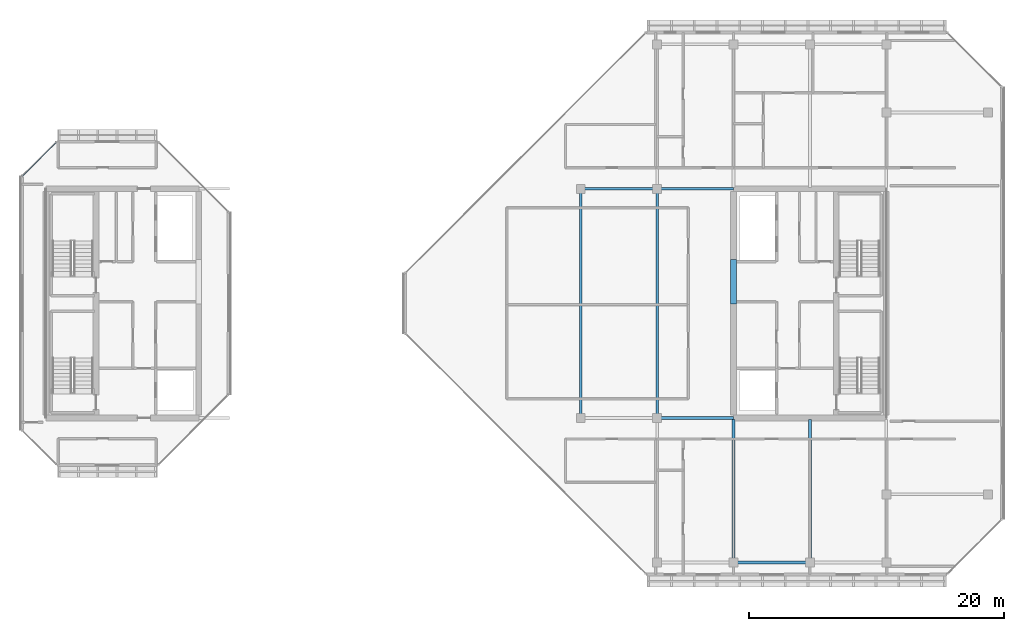
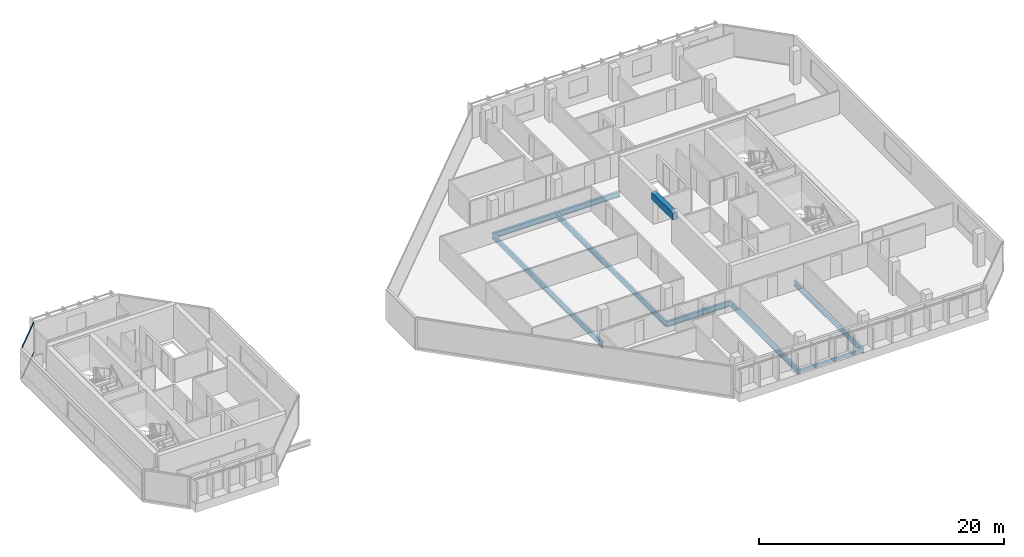
# One storey, part 11 of 28: 9 beams, 2 members, 1 element without a shape of its own.
"""IFC4 building model written with IfcOpenShell, lengths in metres."""

from ifc_helpers import new_model, si_unit, direction, frame, origin, origin_2d, place, context, subcontext, project, spatial, rectangle, hollow_rectangle, i_section, extrude, material, layer, layer_set, material_profile, profile_set, type_object, element, aggregate, save


model = new_model("IFC4")

# Units and contexts
model_context = context("Model", 3, precision=1e-05, world=origin(), true_north=direction((0.0, 1.0)))
body_context = subcontext(model_context, "Body", "Model", "MODEL_VIEW")
ifc_project = project(units=[si_unit("LENGTHUNIT", "METRE"), si_unit("AREAUNIT", "SQUARE_METRE"), si_unit("VOLUMEUNIT", "CUBIC_METRE"), si_unit("PLANEANGLEUNIT", "RADIAN"), si_unit("MASSUNIT", "GRAM", prefix="KILO")], contexts=[model_context])

# Site, building, storey
site_placement = place(None, origin())
site = spatial("IfcSite", under=ifc_project, at=site_placement, CompositionType="ELEMENT")
building_placement = place(site_placement, origin())
building = spatial("IfcBuilding", under=site, at=building_placement, Name="Tanjung Sevakor Pilgrim Tower", CompositionType="ELEMENT")
storey_placement = place(building_placement, frame((0.0, 0.0, 239.25)))
storey = spatial("IfcBuildingStorey", under=building, at=storey_placement, Name="L67", CompositionType="ELEMENT", Elevation=239.25)

# Beams
ifc_material_1 = material(Name="Steel S355J2", Category="steel")
ifc_material_profile_1 = material_profile(ifc_material_1, i_section(OverallWidth=0.2119140625, OverallDepth=0.54443359375, WebThickness=0.0126953125, FlangeThickness=0.021240234375, FilletRadius=0.0126953125, at=origin_2d()))
ifc_profile_set_1 = profile_set([ifc_material_profile_1], Name="Steel S355J2")
beam_type_1 = type_object("IfcBeamType", Name="BM-B-G5-UB_533x210x122", PredefinedType="BEAM", material=ifc_profile_set_1)
for number, where, z_axis, x_axis, name in (
    (1, (72.0, 24.60009765625, -0.4921875), (1.0, 0.0, 0.0), (0.0, 1.0, 0.0), "L67 Primary Floor Girder EAST Y246-02"),
    (2, (66.0, 42.60009765625, -0.4921875), (1.0, 0.0, 0.0), (0.0, 1.0, 0.0), "L67 Primary Floor Girder EAST Y426-01"),
    (3, (72.0, 42.60009765625, -0.4921875), (1.0, 0.0, 0.0), (0.0, 1.0, 0.0), "L67 Primary Floor Girder EAST Y426-02"),
):
    element("IfcBeam", number, at=place(storey_placement, frame(where, z_axis=z_axis, x_axis=x_axis)), inside=storey, type_object=beam_type_1, Name=name, PredefinedType="BEAM", context=body_context, shape_type="SweptSolid", body=[
        extrude(i_section(OverallWidth=0.2119140625, OverallDepth=0.54443359375, WebThickness=0.0126953125, FlangeThickness=0.021240234375, FilletRadius=0.0126953125, at=origin_2d()), origin(), (0.0, 0.0, 1.0), 6.0),
    ])
ifc_material_2 = material(Name="Steel S355J2", Category="steel")
ifc_material_profile_2 = material_profile(ifc_material_2, i_section(OverallWidth=0.210693359375, OverallDepth=0.53955078125, WebThickness=0.01171875, FlangeThickness=0.018798828125, FilletRadius=0.0126953125, at=origin_2d()))
ifc_profile_set_2 = profile_set([ifc_material_profile_2], Name="Steel S355J2")
beam_type_2 = type_object("IfcBeamType", Name="BM-B-G6-UB_533x210x109", PredefinedType="BEAM", material=ifc_profile_set_2)
for number, where, z_axis, x_axis, name in (
    (4, (66.0, 24.60009765625, -0.48974609375), (0.0, 1.0, 0.0), (-1.0, 0.0, 0.0), "L67 EAST Girder 001"),
    (5, (72.0, 24.60009765625, -0.48974609375), (0.0, 1.0, 0.0), (-1.0, 0.0, 0.0), "L67 EAST Girder 003"),
):
    element("IfcBeam", number, at=place(storey_placement, frame(where, z_axis=z_axis, x_axis=x_axis)), inside=storey, type_object=beam_type_2, Name=name, PredefinedType="BEAM", context=body_context, shape_type="SweptSolid", body=[
        extrude(i_section(OverallWidth=0.210693359375, OverallDepth=0.53955078125, WebThickness=0.01171875, FlangeThickness=0.018798828125, FilletRadius=0.0126953125, at=origin_2d()), origin(), (0.0, 0.0, 1.0), 18.0),
    ])
for number, where, z_axis, x_axis, name in (
    (6, (78.0, 13.25, -0.48974609375), (0.0, 1.0, 0.0), (-1.0, 0.0, 0.0), "L67 EAST Girder 005"),
    (7, (84.0, 13.25, -0.48974609375), (0.0, 1.0, 0.0), (-1.0, 0.0, 0.0), "L67 EAST Girder 007"),
):
    element("IfcBeam", number, at=place(storey_placement, frame(where, z_axis=z_axis, x_axis=x_axis)), inside=storey, type_object=beam_type_2, Name=name, PredefinedType="BEAM", context=body_context, shape_type="SweptSolid", body=[
        extrude(i_section(OverallWidth=0.210693359375, OverallDepth=0.53955078125, WebThickness=0.01171875, FlangeThickness=0.018798828125, FilletRadius=0.0126953125, at=origin_2d()), origin(), (0.0, 0.0, 1.0), 11.243896484375),
    ])
ifc_material_3 = material(Name="Concrete C60/75", Category="concrete")
ifc_material_profile_3 = material_profile(ifc_material_3, rectangle(XDim=0.449951171875, YDim=0.699951171875, at=origin_2d()))
ifc_profile_set_3 = profile_set([ifc_material_profile_3], Name="Concrete C60/75")
beam_type_3 = type_object("IfcBeamType", Name="BM-B-LN3-RC-BM_450x700", PredefinedType="LINTEL", material=ifc_profile_set_3)
beam_1_placement = place(storey_placement, frame((78.0, 33.550048828125, 2.72998046875), z_axis=(0.0, 1.0, 0.0), x_axis=(-1.0, 0.0, 0.0)))
element("IfcBeam", 8, at=beam_1_placement, inside=storey, type_object=beam_type_3, Name="L67 E Core Coupling Lintel", PredefinedType="LINTEL", context=body_context, shape_type="SweptSolid", body=[
    extrude(rectangle(XDim=0.449951171875, YDim=0.699951171875, at=origin_2d()), origin(), (0.0, 0.0, 1.0), 3.5),
])
ifc_material_4 = material(Name="Steel S355J2", Category="steel")
ifc_material_profile_4 = material_profile(ifc_material_4, hollow_rectangle(XDim=0.199951171875, YDim=0.300048828125, WallThickness=0.012451171875, at=origin_2d()))
ifc_profile_set_4 = profile_set([ifc_material_profile_4], Name="Steel S355J2")
beam_type_4 = type_object("IfcBeamType", Name="BM-B-SP3-RHS_300x200x12.5", PredefinedType="SPANDREL", material=ifc_profile_set_4)
beam_2_placement = place(storey_placement, frame((78.0, 13.25, -0.3701171875), z_axis=(1.0, 0.0, 0.0), x_axis=(0.0, 1.0, 0.0)))
element("IfcBeam", 9, at=beam_2_placement, inside=storey, type_object=beam_type_4, Name="L67 Spandrel EAST S-03", PredefinedType="SPANDREL", context=body_context, shape_type="SweptSolid", body=[
    extrude(hollow_rectangle(XDim=0.199951171875, YDim=0.300048828125, WallThickness=0.012451171875, at=origin_2d()), origin(), (0.0, 0.0, 1.0), 6.0),
])

# Curtain wall, members
ifc_material_5 = material(Name="Aluminium 6063-T6 and Low-E Glass", Category="aluminium")
ifc_layer = layer(ifc_material_5, 0.179931640625)
ifc_layer_set = layer_set([ifc_layer], Name="CW-SYS-CHAM")
curtain_wall_type = type_object("IfcCurtainWallType", Name="CW-SYS-CHAM", PredefinedType="NOTDEFINED", material=ifc_layer_set)
curtain_wall_placement = place(storey_placement, origin())
curtain_wall = element("IfcCurtainWall", 10, at=curtain_wall_placement, inside=storey, type_object=curtain_wall_type, Name="L67 Curtain Wall CW-CHM-L67-WEST-5", PredefinedType="NOTDEFINED")
ifc_material_6 = material(Name="Aluminium 6063-T6", Category="aluminium")
ifc_material_profile_5 = material_profile(ifc_material_6, hollow_rectangle(XDim=0.06494140625, YDim=0.139892578125, WallThickness=0.00390625, at=origin_2d()))
ifc_profile_set_5 = profile_set([ifc_material_profile_5], Name="Aluminium 6063-T6")
member_type = type_object("IfcMemberType", Name="TYPE-CWT-1", PredefinedType="USERDEFINED", material=ifc_profile_set_5)
member_1_placement = place(storey_placement, frame((24.799560546875, 46.244140625, 0.032470703125), z_axis=(-0.707074130168, -0.707139430697, 0.0), x_axis=(0.707139430697, -0.707074130168, 0.0)))
member_1 = element("IfcMember", 11, at=member_1_placement, type_object=member_type, Name="CW-CHM transom 1.1", ObjectType="TRANSOM", PredefinedType="USERDEFINED", context=body_context, shape_type="SweptSolid", body=[
    extrude(hollow_rectangle(XDim=0.06494140625, YDim=0.139892578125, WallThickness=0.00390625, at=origin_2d()), origin(), (0.0, 0.0, 1.0), 3.73876953125),
])
member_2_placement = place(storey_placement, frame((24.799560546875, 46.244140625, 3.047607421875), z_axis=(-0.707074130168, -0.707139430697, 0.0), x_axis=(0.707139430697, -0.707074130168, 0.0)))
member_2 = element("IfcMember", 12, at=member_2_placement, type_object=member_type, Name="CW-CHM transom 1.2", ObjectType="TRANSOM", PredefinedType="USERDEFINED", context=body_context, shape_type="SweptSolid", body=[
    extrude(hollow_rectangle(XDim=0.06494140625, YDim=0.139892578125, WallThickness=0.00390625, at=origin_2d()), origin(), (0.0, 0.0, 1.0), 3.73876953125),
])
aggregate(curtain_wall, [member_1, member_2])

save(model, "model.ifc")
